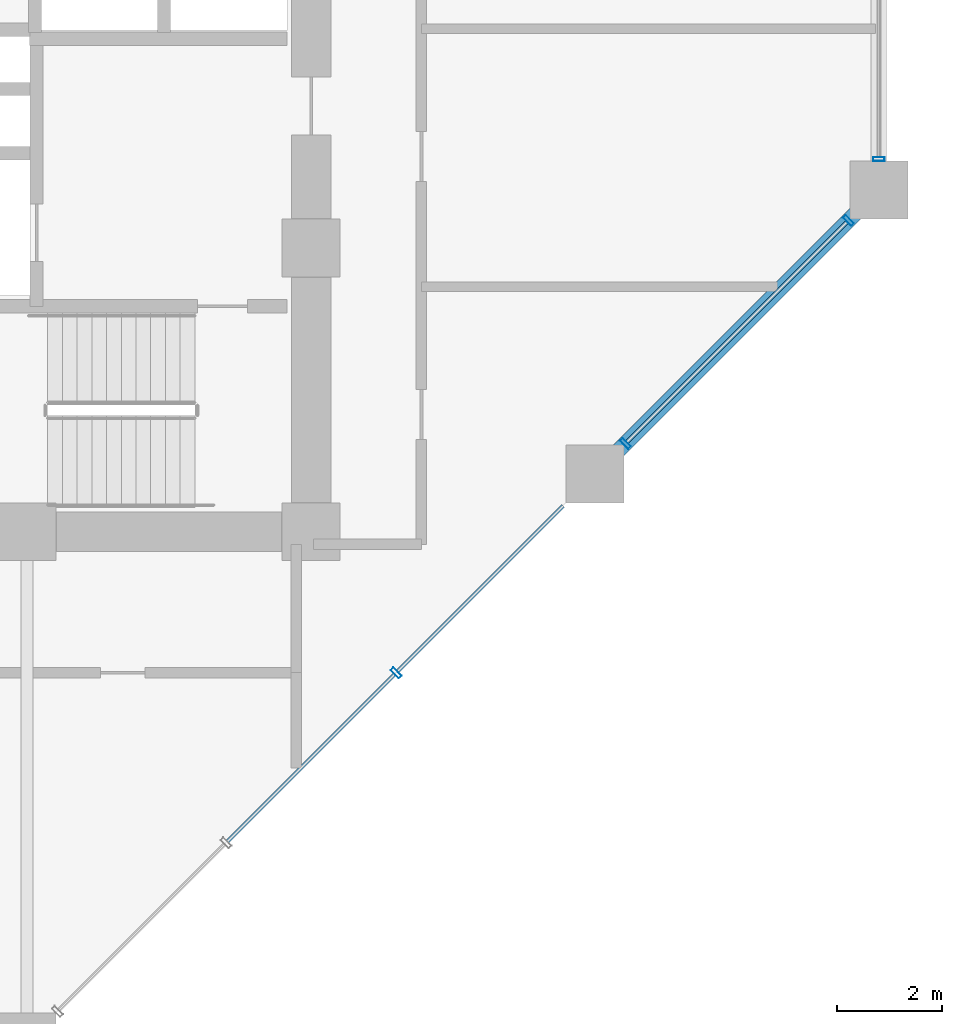
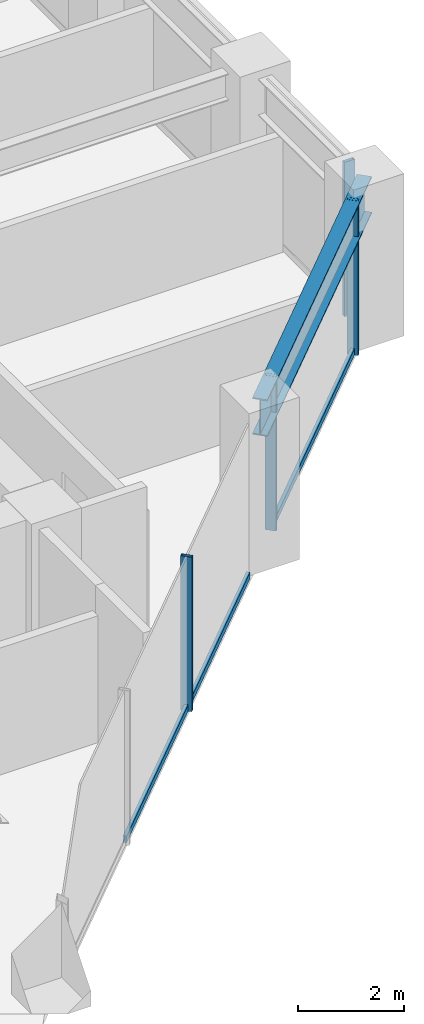
# One storey, part 8 of 24: 7 members, 1 beam, 2 elements without a shape of their own.
"""IFC4 building model written with IfcOpenShell, lengths in metres."""

from ifc_helpers import new_model, si_unit, direction, frame, origin, origin_2d, place, context, subcontext, project, spatial, hollow_rectangle, i_section, extrude, material, layer, layer_set, material_profile, profile_set, type_object, element, aggregate, save


model = new_model("IFC4")

# Units and contexts
model_context = context("Model", 3, precision=1e-05, world=origin(), true_north=direction((0.0, 1.0)))
body_context = subcontext(model_context, "Body", "Model", "MODEL_VIEW")
ifc_project = project(units=[si_unit("LENGTHUNIT", "METRE"), si_unit("AREAUNIT", "SQUARE_METRE"), si_unit("VOLUMEUNIT", "CUBIC_METRE"), si_unit("PLANEANGLEUNIT", "RADIAN"), si_unit("MASSUNIT", "GRAM", prefix="KILO")], contexts=[model_context])

# Site, building, storey
site_placement = place(None, origin())
site = spatial("IfcSite", under=ifc_project, at=site_placement, CompositionType="ELEMENT")
building_placement = place(site_placement, origin())
building = spatial("IfcBuilding", under=site, at=building_placement, Name="Surkhivell Harbour Commons", CompositionType="ELEMENT")
storey_placement = place(building_placement, frame((0.0, 0.0, 105.75)))
storey = spatial("IfcBuildingStorey", under=building, at=storey_placement, Name="L27", CompositionType="ELEMENT", Elevation=105.75)

# Beam
ifc_material_1 = material(Name="Steel S460", Category="steel")
ifc_material_profile_1 = material_profile(ifc_material_1, i_section(OverallWidth=0.2939453125, OverallDepth=0.85107421875, WebThickness=0.01611328125, FlangeThickness=0.02685546875, at=origin_2d()), Name="UB838x292x226")
ifc_profile_set_1 = profile_set([ifc_material_profile_1], Name="Steel S460")
beam_type = type_object("IfcBeamType", Name="BM-SPN-838", PredefinedType="SPANDREL", material=ifc_profile_set_1)
beam_placement = place(storey_placement, frame((16.199951171875, -9.699951171875, 3.14453125), z_axis=(0.707122765516, 0.707090796496, 0.0), x_axis=(-0.707090796496, 0.707122765516, 0.0)))
element("IfcBeam", 1, at=beam_placement, inside=storey, type_object=beam_type, Name="L27 Tube Spandrel (16.2,-9.7)", PredefinedType="SPANDREL", context=body_context, shape_type="SweptSolid", body=[
    extrude(i_section(OverallWidth=0.2939453125, OverallDepth=0.85107421875, WebThickness=0.01611328125, FlangeThickness=0.02685546875, at=origin_2d()), origin(), (0.0, 0.0, 1.0), 7.63671875),
])

# Curtain wall, members
ifc_material_2 = material(Name="Anodised pale-metal aluminium and insulated glazing", Category="aluminium")
ifc_layer = layer(ifc_material_2, 0.205078125)
ifc_layer_set = layer_set([ifc_layer], Name="Anodised pale-metal aluminium and insulated glazing")
curtain_wall_type = type_object("IfcCurtainWallType", Name="CW-SYS-Z2", PredefinedType="NOTDEFINED", material=ifc_layer_set)
curtain_wall_1_placement = place(storey_placement, origin())
curtain_wall_1 = element("IfcCurtainWall", 2, at=curtain_wall_1_placement, inside=storey, type_object=curtain_wall_type, Name="L27 Curtain Wall CW-L27-E01", PredefinedType="NOTDEFINED")
ifc_material_3 = material(Name="Anodised pale-metal aluminium alloy 6063-T6", Category="aluminium")
ifc_material_profile_2 = material_profile(ifc_material_3, hollow_rectangle(XDim=0.074951171875, YDim=0.219970703125, WallThickness=0.00390625, at=origin_2d()), Name="ALU-MULL-75x220")
ifc_profile_set_2 = profile_set([ifc_material_profile_2], Name="Anodised pale-metal aluminium alloy 6063-T6")
member_type_1 = type_object("IfcMemberType", Name="CWM-220", PredefinedType="MULLION", material=ifc_profile_set_2)
member_1_placement = place(storey_placement, frame((12.416015625, -13.48388671875, 0.0), z_axis=(0.0, 0.0, 1.0), x_axis=(0.707106781187, 0.707106781187, 0.0)))
member_1 = element("IfcMember", 3, at=member_1_placement, type_object=member_type_1, Name="CW-Z2 mullion 4", PredefinedType="MULLION", context=body_context, shape_type="SweptSolid", body=[
    extrude(hollow_rectangle(XDim=0.074951171875, YDim=0.219970703125, WallThickness=0.00390625, at=origin_2d()), origin(), (0.0, 0.0, 1.0), 3.570068359375),
])
member_2_placement = place(storey_placement, frame((16.7783203125, -9.121826171875, 0.0), z_axis=(0.0, 0.0, 1.0), x_axis=(0.707106781187, 0.707106781187, 0.0)))
member_2 = element("IfcMember", 4, at=member_2_placement, type_object=member_type_1, Name="CW-Z2 mullion 5", PredefinedType="MULLION", context=body_context, shape_type="SweptSolid", body=[
    extrude(hollow_rectangle(XDim=0.074951171875, YDim=0.219970703125, WallThickness=0.00390625, at=origin_2d()), origin(), (0.0, 0.0, 1.0), 3.570068359375),
])
member_3_placement = place(storey_placement, frame((21.021728515625, -4.878173828125, 0.0), z_axis=(0.0, 0.0, 1.0), x_axis=(0.707106781187, 0.707106781187, 0.0)))
member_3 = element("IfcMember", 5, at=member_3_placement, type_object=member_type_1, Name="CW-Z2 mullion 6", PredefinedType="MULLION", context=body_context, shape_type="SweptSolid", body=[
    extrude(hollow_rectangle(XDim=0.074951171875, YDim=0.219970703125, WallThickness=0.00390625, at=origin_2d()), origin(), (0.0, 0.0, 1.0), 3.570068359375),
])

# Curtain wall, member
curtain_wall_2_placement = place(storey_placement, origin())
curtain_wall_2 = element("IfcCurtainWall", 6, at=curtain_wall_2_placement, inside=storey, type_object=curtain_wall_type, Name="L27 Curtain Wall CW-L27-E02", PredefinedType="NOTDEFINED")
member_4_placement = place(storey_placement, frame((21.60009765625, -3.71044921875, 0.0), z_axis=(0.0, 0.0, 1.0), x_axis=(0.0, 1.0, 0.0)))
member_4 = element("IfcMember", 7, at=member_4_placement, type_object=member_type_1, Name="CW-Z2 mullion 1", PredefinedType="MULLION", context=body_context, shape_type="SweptSolid", body=[
    extrude(hollow_rectangle(XDim=0.074951171875, YDim=0.219970703125, WallThickness=0.00390625, at=origin_2d()), origin(), (0.0, 0.0, 1.0), 3.570068359375),
])
aggregate(curtain_wall_2, [member_4])

# Member
ifc_material_profile_3 = material_profile(ifc_material_3, hollow_rectangle(XDim=0.074951171875, YDim=0.14990234375, WallThickness=0.00341796875, at=origin_2d()), Name="ALU-TRAN-75x150")
ifc_profile_set_3 = profile_set([ifc_material_profile_3], Name="Anodised pale-metal aluminium alloy 6063-T6")
member_type_2 = type_object("IfcMemberType", Name="CWT-150", PredefinedType="USERDEFINED", material=ifc_profile_set_3)
member_5_placement = place(storey_placement, frame((9.21044921875, -16.689697265625, 0.074951171875), z_axis=(0.707106781187, 0.707106781187, 0.0), x_axis=(-0.707106781187, 0.707106781187, 0.0)))
member_5 = element("IfcMember", 8, at=member_5_placement, type_object=member_type_2, Name="CW-Z2 transom 3.1", ObjectType="TRANSOM", PredefinedType="USERDEFINED", context=body_context, shape_type="SweptSolid", body=[
    extrude(hollow_rectangle(XDim=0.074951171875, YDim=0.14990234375, WallThickness=0.00341796875, at=origin_2d()), origin(), (0.0, 0.0, 1.0), 4.49609375),
])

member_6_placement = place(storey_placement, frame((12.442626953125, -13.457275390625, 0.074951171875), z_axis=(0.707106781187, 0.707106781187, 0.0), x_axis=(-0.707106781187, 0.707106781187, 0.0)))
member_6 = element("IfcMember", 9, at=member_6_placement, type_object=member_type_2, Name="CW-Z2 transom 4.1", ObjectType="TRANSOM", PredefinedType="USERDEFINED", context=body_context, shape_type="SweptSolid", body=[
    extrude(hollow_rectangle(XDim=0.074951171875, YDim=0.14990234375, WallThickness=0.00341796875, at=origin_2d()), origin(), (0.0, 0.0, 1.0), 4.45849609375),
])

member_7_placement = place(storey_placement, frame((16.8046875, -9.09521484375, 0.074951171875), z_axis=(0.707127378829, 0.707086182944, 0.0), x_axis=(-0.707086182944, 0.707127378829, 0.0)))
member_7 = element("IfcMember", 10, at=member_7_placement, type_object=member_type_2, Name="CW-Z2 transom 5.1", ObjectType="TRANSOM", PredefinedType="USERDEFINED", context=body_context, shape_type="SweptSolid", body=[
    extrude(hollow_rectangle(XDim=0.074951171875, YDim=0.14990234375, WallThickness=0.00341796875, at=origin_2d()), origin(), (0.0, 0.0, 1.0), 5.92626953125),
])

aggregate(curtain_wall_1, [member_1, member_5, member_6, member_2, member_3, member_7])

save(model, "model.ifc")
